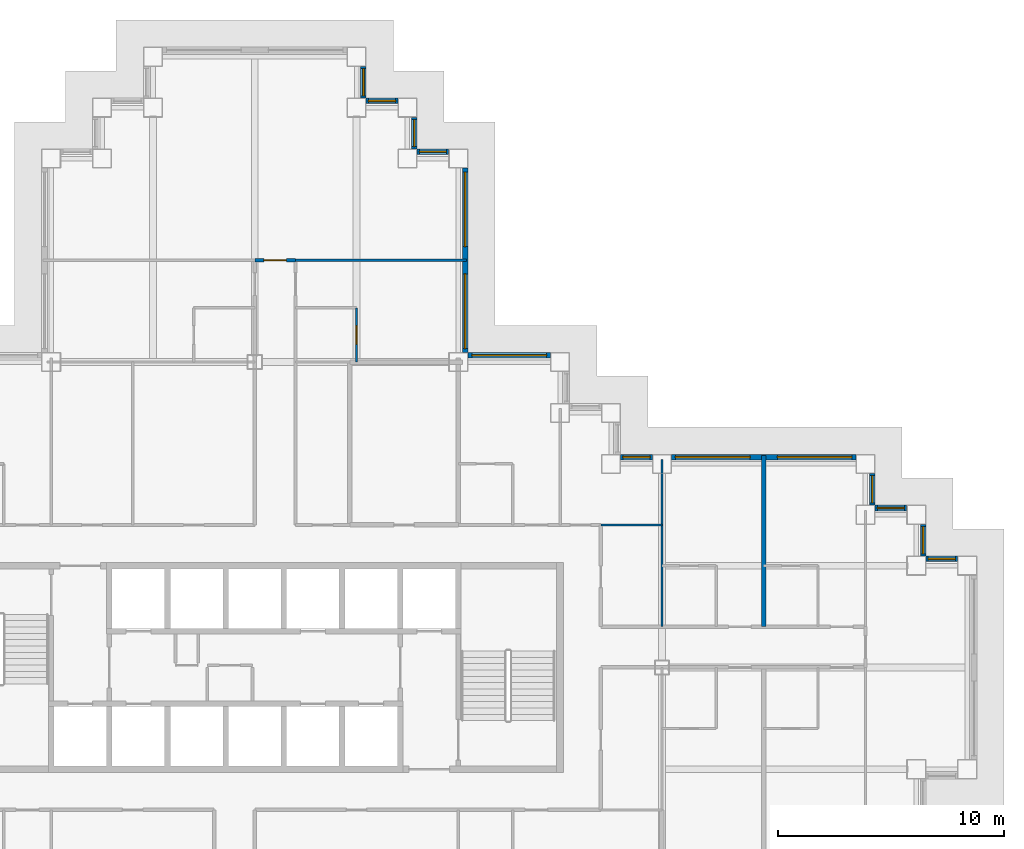
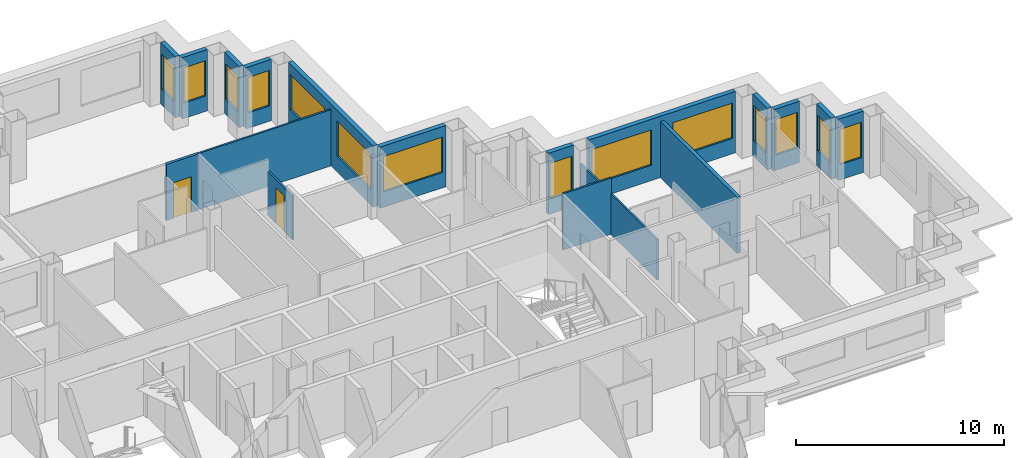
# One storey, part 10 of 15: 18 walls, 14 windows, 2 doors, 16 openings.
"""IFC4 building model written with IfcOpenShell, lengths in metres."""

from ifc_helpers import new_model, si_unit, direction, frame, frame_2d, origin, place, context, subcontext, project, spatial, rectangle, extrude, material, layer, layer_set, type_object, element, fill, save


model = new_model("IFC4")

# Units and contexts
model_context = context("Model", 3, precision=1e-05, world=origin(), true_north=direction((0.0, 1.0)))
body_context = subcontext(model_context, "Body", "Model", "MODEL_VIEW")
ifc_project = project(units=[si_unit("LENGTHUNIT", "METRE"), si_unit("AREAUNIT", "SQUARE_METRE"), si_unit("VOLUMEUNIT", "CUBIC_METRE"), si_unit("PLANEANGLEUNIT", "RADIAN"), si_unit("MASSUNIT", "GRAM", prefix="KILO")], contexts=[model_context])

# Site, building, storey
site_placement = place(None, origin())
site = spatial("IfcSite", under=ifc_project, at=site_placement, CompositionType="ELEMENT")
building_placement = place(site_placement, origin())
building = spatial("IfcBuilding", under=site, at=building_placement, Name="Caravel Reach Hotel and Residences", CompositionType="ELEMENT")
storey_placement = place(building_placement, frame((0.0, 0.0, 122.39990234375)))
storey = spatial("IfcBuildingStorey", under=building, at=storey_placement, Name="L30", CompositionType="ELEMENT", Elevation=122.39990234375)

# Wall, opening, door
ifc_material_1 = material(Name="Gypsum board on steel stud", Category="steel")
ifc_layer_1 = layer(ifc_material_1, 0.10009765625)
ifc_layer_set_1 = layer_set([ifc_layer_1], Name="Bathroom pod wall 100 mm")
wall_type_1 = type_object("IfcWallType", Name="Bathroom pod wall 100 mm", PredefinedType="PARTITIONING", material=ifc_layer_set_1)
wall_1_placement = place(storey_placement, frame((36.0, 40.5, 0.0), z_axis=(0.0, 0.0, 1.0), x_axis=(0.0, 1.0, 0.0)))
wall_1 = element("IfcWall", 1, at=wall_1_placement, inside=storey, type_object=wall_type_1, Name="L30 wall w089", PredefinedType="PARTITIONING", context=body_context, shape_type="SweptSolid", body=[
    extrude(rectangle(XDim=2.39990234375, YDim=0.10009765625, at=frame_2d((1.199951171875, 0.0))), origin(), (0.0, 0.0, 1.0), 2.580078125),
])
opening_1_placement = place(wall_1_placement, frame((0.800048828125, 0.0, 0.0)))
opening_1 = element("IfcOpeningElement", 2, at=opening_1_placement, cuts=wall_1, Name="Opening D30-031", PredefinedType="OPENING", context=body_context, shape_type="SweptSolid", body=[
    extrude(rectangle(XDim=0.800048828125, YDim=2.10009765625, at=frame_2d((0.39990234375, 1.050048828125))), frame((0.0, 0.06005859375, 0.0), z_axis=(0.0, -1.0, 0.0), x_axis=(1.0, 0.0, 0.0)), (0.0, 0.0, 1.0), 0.1201171875),
])
ifc_material_2 = material(Name="Timber and steel door leaf", Category="steel")
door_type_1 = type_object("IfcDoorType", Name="Bathroom door 800 x 2100", OperationType="SINGLE_SWING_LEFT", PredefinedType="DOOR", material=ifc_material_2)
door_1_placement = place(opening_1_placement, origin())
door_1 = element("IfcDoor", 3, at=door_1_placement, inside=storey, type_object=door_type_1, Name="door D30-031", OperationType="SINGLE_SWING_RIGHT", OverallHeight=2.10009765625, OverallWidth=0.800048828125, PredefinedType="DOOR", context=body_context, shape_type="SweptSolid", body=[
    extrude(rectangle(XDim=0.800048828125, YDim=2.10009765625, at=frame_2d((0.39990234375, 1.050048828125))), frame((0.0, 0.02490234375, 0.0), z_axis=(0.0, -1.0, 0.0), x_axis=(1.0, 0.0, 0.0)), (0.0, 0.0, 1.0), 0.050048828125),
])
fill(opening_1, door_1)

ifc_material_3 = material(Name="Gypsum board on steel stud, fire-rated", Category="steel")
ifc_layer_2 = layer(ifc_material_3, 0.14990234375)
ifc_layer_set_2 = layer_set([ifc_layer_2], Name="Corridor wall 150 mm EI 60")
wall_type_2 = type_object("IfcWallType", Name="Corridor wall 150 mm EI 60", PredefinedType="PARTITIONING", material=ifc_layer_set_2)
wall_2_placement = place(storey_placement, frame((31.5, 45.0, 0.0), z_axis=(0.0, 0.0, 1.0), x_axis=(1.0, 0.0, 0.0)))
wall_2 = element("IfcWall", 4, at=wall_2_placement, inside=storey, type_object=wall_type_2, Name="L30 wall w021", PredefinedType="PARTITIONING", context=body_context, shape_type="SweptSolid", body=[
    extrude(rectangle(XDim=1.800048828125, YDim=0.14990234375, at=frame_2d((0.89990234375, 0.0))), origin(), (0.0, 0.0, 1.0), 3.300048828125),
])
opening_2_placement = place(wall_2_placement, frame((0.39990234375, 0.0, 0.0)))
opening_2 = element("IfcOpeningElement", 5, at=opening_2_placement, cuts=wall_2, Name="Opening D30-038", PredefinedType="OPENING", context=body_context, shape_type="SweptSolid", body=[
    extrude(rectangle(XDim=1.0, YDim=2.10009765625, at=frame_2d((0.5, 1.050048828125))), frame((0.0, 0.0849609375, 0.0), z_axis=(0.0, -1.0, 0.0), x_axis=(1.0, 0.0, 0.0)), (0.0, 0.0, 1.0), 0.169921875),
])
ifc_material_4 = material(Name="Steel fire door leaf", Category="steel")
door_type_2 = type_object("IfcDoorType", Name="Guest room door 1000 x 2100 EI 30", OperationType="SINGLE_SWING_LEFT", PredefinedType="DOOR", material=ifc_material_4)
door_2_placement = place(opening_2_placement, origin())
door_2 = element("IfcDoor", 6, at=door_2_placement, inside=storey, type_object=door_type_2, Name="door D30-038", OperationType="SINGLE_SWING_LEFT", OverallHeight=2.10009765625, OverallWidth=1.0, PredefinedType="DOOR", context=body_context, shape_type="SweptSolid", body=[
    extrude(rectangle(XDim=1.0, YDim=2.10009765625, at=frame_2d((0.5, 1.050048828125))), frame((0.0, 0.02490234375, 0.0), z_axis=(0.0, -1.0, 0.0), x_axis=(1.0, 0.0, 0.0)), (0.0, 0.0, 1.0), 0.050048828125),
])
fill(opening_2, door_2)

# Wall, opening, window
ifc_material_5 = material(Name="Insulated rainscreen wall, aluminium cladding", Category="aluminium")
ifc_layer_3 = layer(ifc_material_5, 0.25)
ifc_layer_set_3 = layer_set([ifc_layer_3], Name="EW1 Tower rainscreen wall")
wall_type_3 = type_object("IfcWallType", Name="EW1 Tower rainscreen wall", PredefinedType="SOLIDWALL", material=ifc_layer_set_3)
wall_3_placement = place(storey_placement, frame((62.574951171875, 31.800048828125, 0.0), z_axis=(0.0, 0.0, 1.0), x_axis=(-1.0, 0.0, 0.0)))
wall_3 = element("IfcWall", 7, at=wall_3_placement, inside=storey, type_object=wall_type_3, Name="External wall L30 N21.1", PredefinedType="SOLIDWALL", context=body_context, shape_type="SweptSolid", body=[
    extrude(rectangle(XDim=1.39990234375, YDim=0.25, at=frame_2d((0.699951171875, 0.0))), origin(), (0.0, 0.0, 1.0), 3.60009765625),
])
opening_3_placement = place(wall_3_placement, frame((0.10009765625, 0.0, 0.89990234375)))
opening_3 = element("IfcOpeningElement", 8, at=opening_3_placement, cuts=wall_3, Name="Opening WN9", PredefinedType="OPENING", context=body_context, shape_type="SweptSolid", body=[
    extrude(rectangle(XDim=1.199951171875, YDim=2.080078125, at=frame_2d((0.60009765625, 1.0400390625))), frame((0.0, 0.135009765625, 0.0), z_axis=(0.0, -1.0, 0.0), x_axis=(1.0, 0.0, 0.0)), (0.0, 0.0, 1.0), 0.27001953125),
])
ifc_material_6 = material(Name="Dark low-e glazing in black aluminium frame", Category="aluminium")
window_type_1 = type_object("IfcWindowType", Name="Hotel suite corner window 1200 x 2080", PartitioningType="SINGLE_PANEL", PredefinedType="WINDOW", material=ifc_material_6)
window_1_placement = place(opening_3_placement, origin())
window_1 = element("IfcWindow", 9, at=window_1_placement, inside=storey, type_object=window_type_1, Name="Window L30 N21.1.1", OverallHeight=2.080078125, OverallWidth=1.199951171875, PartitioningType="SINGLE_PANEL", PredefinedType="WINDOW", context=body_context, shape_type="SweptSolid", body=[
    extrude(rectangle(XDim=1.199951171875, YDim=2.080078125, at=frame_2d((0.60009765625, 1.0400390625))), frame((0.0, 0.030029296875, 0.0), z_axis=(0.0, -1.0, 0.0), x_axis=(1.0, 0.0, 0.0)), (0.0, 0.0, 1.0), 0.06005859375),
])
fill(opening_3, window_1)

wall_4_placement = place(storey_placement, frame((61.050048828125, 31.925048828125, 0.0), z_axis=(0.0, 0.0, 1.0), x_axis=(0.0, 1.0, 0.0)))
wall_4 = element("IfcWall", 10, at=wall_4_placement, inside=storey, type_object=wall_type_3, Name="External wall L30 E22.1", PredefinedType="SOLIDWALL", context=body_context, shape_type="SweptSolid", body=[
    extrude(rectangle(XDim=1.39990234375, YDim=0.25, at=frame_2d((0.699951171875, 0.0))), origin(), (0.0, 0.0, 1.0), 3.60009765625),
])
opening_4_placement = place(wall_4_placement, frame((0.10009765625, 0.0, 0.89990234375)))
opening_4 = element("IfcOpeningElement", 11, at=opening_4_placement, cuts=wall_4, Name="Opening WN9", PredefinedType="OPENING", context=body_context, shape_type="SweptSolid", body=[
    extrude(rectangle(XDim=1.199951171875, YDim=2.080078125, at=frame_2d((0.60009765625, 1.0400390625))), frame((0.0, 0.135009765625, 0.0), z_axis=(0.0, -1.0, 0.0), x_axis=(1.0, 0.0, 0.0)), (0.0, 0.0, 1.0), 0.27001953125),
])
window_2_placement = place(opening_4_placement, origin())
window_2 = element("IfcWindow", 12, at=window_2_placement, inside=storey, type_object=window_type_1, Name="Window L30 E22.1.1", OverallHeight=2.080078125, OverallWidth=1.199951171875, PartitioningType="SINGLE_PANEL", PredefinedType="WINDOW", context=body_context, shape_type="SweptSolid", body=[
    extrude(rectangle(XDim=1.199951171875, YDim=2.080078125, at=frame_2d((0.60009765625, 1.0400390625))), frame((0.0, 0.030029296875, 0.0), z_axis=(0.0, -1.0, 0.0), x_axis=(1.0, 0.0, 0.0)), (0.0, 0.0, 1.0), 0.06005859375),
])
fill(opening_4, window_2)

wall_5_placement = place(storey_placement, frame((60.324951171875, 34.050048828125, 0.0), z_axis=(0.0, 0.0, 1.0), x_axis=(-1.0, 0.0, 0.0)))
wall_5 = element("IfcWall", 13, at=wall_5_placement, inside=storey, type_object=wall_type_3, Name="External wall L30 N23.1", PredefinedType="SOLIDWALL", context=body_context, shape_type="SweptSolid", body=[
    extrude(rectangle(XDim=1.39990234375, YDim=0.25, at=frame_2d((0.699951171875, 0.0))), origin(), (0.0, 0.0, 1.0), 3.60009765625),
])
opening_5_placement = place(wall_5_placement, frame((0.10009765625, 0.0, 0.89990234375)))
opening_5 = element("IfcOpeningElement", 14, at=opening_5_placement, cuts=wall_5, Name="Opening WN9", PredefinedType="OPENING", context=body_context, shape_type="SweptSolid", body=[
    extrude(rectangle(XDim=1.199951171875, YDim=2.080078125, at=frame_2d((0.60009765625, 1.0400390625))), frame((0.0, 0.135009765625, 0.0), z_axis=(0.0, -1.0, 0.0), x_axis=(1.0, 0.0, 0.0)), (0.0, 0.0, 1.0), 0.27001953125),
])
window_3_placement = place(opening_5_placement, origin())
window_3 = element("IfcWindow", 15, at=window_3_placement, inside=storey, type_object=window_type_1, Name="Window L30 N23.1.1", OverallHeight=2.080078125, OverallWidth=1.199951171875, PartitioningType="SINGLE_PANEL", PredefinedType="WINDOW", context=body_context, shape_type="SweptSolid", body=[
    extrude(rectangle(XDim=1.199951171875, YDim=2.080078125, at=frame_2d((0.60009765625, 1.0400390625))), frame((0.0, 0.030029296875, 0.0), z_axis=(0.0, -1.0, 0.0), x_axis=(1.0, 0.0, 0.0)), (0.0, 0.0, 1.0), 0.06005859375),
])
fill(opening_5, window_3)

wall_6_placement = place(storey_placement, frame((58.800048828125, 34.175048828125, 0.0), z_axis=(0.0, 0.0, 1.0), x_axis=(0.0, 1.0, 0.0)))
wall_6 = element("IfcWall", 16, at=wall_6_placement, inside=storey, type_object=wall_type_3, Name="External wall L30 E24.1", PredefinedType="SOLIDWALL", context=body_context, shape_type="SweptSolid", body=[
    extrude(rectangle(XDim=1.39990234375, YDim=0.25, at=frame_2d((0.699951171875, 0.0))), origin(), (0.0, 0.0, 1.0), 3.60009765625),
])
opening_6_placement = place(wall_6_placement, frame((0.10009765625, 0.0, 0.89990234375)))
opening_6 = element("IfcOpeningElement", 17, at=opening_6_placement, cuts=wall_6, Name="Opening WN9", PredefinedType="OPENING", context=body_context, shape_type="SweptSolid", body=[
    extrude(rectangle(XDim=1.199951171875, YDim=2.080078125, at=frame_2d((0.60009765625, 1.0400390625))), frame((0.0, 0.135009765625, 0.0), z_axis=(0.0, -1.0, 0.0), x_axis=(1.0, 0.0, 0.0)), (0.0, 0.0, 1.0), 0.27001953125),
])
window_4_placement = place(opening_6_placement, origin())
window_4 = element("IfcWindow", 18, at=window_4_placement, inside=storey, type_object=window_type_1, Name="Window L30 E24.1.1", OverallHeight=2.080078125, OverallWidth=1.199951171875, PartitioningType="SINGLE_PANEL", PredefinedType="WINDOW", context=body_context, shape_type="SweptSolid", body=[
    extrude(rectangle(XDim=1.199951171875, YDim=2.080078125, at=frame_2d((0.60009765625, 1.0400390625))), frame((0.0, 0.030029296875, 0.0), z_axis=(0.0, -1.0, 0.0), x_axis=(1.0, 0.0, 0.0)), (0.0, 0.0, 1.0), 0.06005859375),
])
fill(opening_6, window_4)

# Wall, openings, windows
wall_7_placement = place(storey_placement, frame((58.074951171875, 36.300048828125, 0.0), z_axis=(0.0, 0.0, 1.0), x_axis=(-1.0, 0.0, 0.0)))
wall_7 = element("IfcWall", 19, at=wall_7_placement, inside=storey, type_object=wall_type_3, Name="External wall L30 N25.1", PredefinedType="SOLIDWALL", context=body_context, shape_type="SweptSolid", body=[
    extrude(rectangle(XDim=8.14990234375, YDim=0.25, at=frame_2d((4.074951171875, 0.0))), origin(), (0.0, 0.0, 1.0), 3.60009765625),
])
opening_7_placement = place(wall_7_placement, frame((0.175048828125, 0.0, 0.89990234375)))
opening_7 = element("IfcOpeningElement", 20, at=opening_7_placement, cuts=wall_7, Name="Opening WN4", PredefinedType="OPENING", context=body_context, shape_type="SweptSolid", body=[
    extrude(rectangle(XDim=3.300048828125, YDim=2.080078125, at=frame_2d((1.64990234375, 1.0400390625))), frame((0.0, 0.135009765625, 0.0), z_axis=(0.0, -1.0, 0.0), x_axis=(1.0, 0.0, 0.0)), (0.0, 0.0, 1.0), 0.27001953125),
])
opening_8_placement = place(wall_7_placement, frame((4.675048828125, 0.0, 0.89990234375)))
opening_8 = element("IfcOpeningElement", 21, at=opening_8_placement, cuts=wall_7, Name="Opening WN4", PredefinedType="OPENING", context=body_context, shape_type="SweptSolid", body=[
    extrude(rectangle(XDim=3.300048828125, YDim=2.080078125, at=frame_2d((1.64990234375, 1.0400390625))), frame((0.0, 0.135009765625, 0.0), z_axis=(0.0, -1.0, 0.0), x_axis=(1.0, 0.0, 0.0)), (0.0, 0.0, 1.0), 0.27001953125),
])
ifc_material_7 = material(Name="Dark low-e glazing in black aluminium frame", Category="aluminium")
window_type_2 = type_object("IfcWindowType", Name="Hotel guest room window 3300 x 2080", PartitioningType="SINGLE_PANEL", PredefinedType="WINDOW", material=ifc_material_7)
window_5_placement = place(opening_7_placement, origin())
window_5 = element("IfcWindow", 22, at=window_5_placement, inside=storey, type_object=window_type_2, Name="Window L30 N25.1.1", OverallHeight=2.080078125, OverallWidth=3.300048828125, PartitioningType="SINGLE_PANEL", PredefinedType="WINDOW", context=body_context, shape_type="SweptSolid", body=[
    extrude(rectangle(XDim=3.300048828125, YDim=2.080078125, at=frame_2d((1.64990234375, 1.0400390625))), frame((0.0, 0.030029296875, 0.0), z_axis=(0.0, -1.0, 0.0), x_axis=(1.0, 0.0, 0.0)), (0.0, 0.0, 1.0), 0.06005859375),
])
fill(opening_7, window_5)
window_6_placement = place(opening_8_placement, origin())
window_6 = element("IfcWindow", 23, at=window_6_placement, inside=storey, type_object=window_type_2, Name="Window L30 N25.1.2", OverallHeight=2.080078125, OverallWidth=3.300048828125, PartitioningType="SINGLE_PANEL", PredefinedType="WINDOW", context=body_context, shape_type="SweptSolid", body=[
    extrude(rectangle(XDim=3.300048828125, YDim=2.080078125, at=frame_2d((1.64990234375, 1.0400390625))), frame((0.0, 0.030029296875, 0.0), z_axis=(0.0, -1.0, 0.0), x_axis=(1.0, 0.0, 0.0)), (0.0, 0.0, 1.0), 0.06005859375),
])
fill(opening_8, window_6)

# Wall, opening, window
wall_8_placement = place(storey_placement, frame((49.074951171875, 36.300048828125, 0.0), z_axis=(0.0, 0.0, 1.0), x_axis=(-1.0, 0.0, 0.0)))
wall_8 = element("IfcWall", 24, at=wall_8_placement, inside=storey, type_object=wall_type_3, Name="External wall L30 N25.2", PredefinedType="SOLIDWALL", context=body_context, shape_type="SweptSolid", body=[
    extrude(rectangle(XDim=1.39990234375, YDim=0.25, at=frame_2d((0.699951171875, 0.0))), origin(), (0.0, 0.0, 1.0), 3.60009765625),
])
opening_9_placement = place(wall_8_placement, frame((0.10009765625, 0.0, 0.89990234375)))
opening_9 = element("IfcOpeningElement", 25, at=opening_9_placement, cuts=wall_8, Name="Opening WN9", PredefinedType="OPENING", context=body_context, shape_type="SweptSolid", body=[
    extrude(rectangle(XDim=1.199951171875, YDim=2.080078125, at=frame_2d((0.60009765625, 1.0400390625))), frame((0.0, 0.135009765625, 0.0), z_axis=(0.0, -1.0, 0.0), x_axis=(1.0, 0.0, 0.0)), (0.0, 0.0, 1.0), 0.27001953125),
])
window_7_placement = place(opening_9_placement, origin())
window_7 = element("IfcWindow", 26, at=window_7_placement, inside=storey, type_object=window_type_1, Name="Window L30 N25.2.1", OverallHeight=2.080078125, OverallWidth=1.199951171875, PartitioningType="SINGLE_PANEL", PredefinedType="WINDOW", context=body_context, shape_type="SweptSolid", body=[
    extrude(rectangle(XDim=1.199951171875, YDim=2.080078125, at=frame_2d((0.60009765625, 1.0400390625))), frame((0.0, 0.030029296875, 0.0), z_axis=(0.0, -1.0, 0.0), x_axis=(1.0, 0.0, 0.0)), (0.0, 0.0, 1.0), 0.06005859375),
])
fill(opening_9, window_7)

wall_9_placement = place(storey_placement, frame((44.574951171875, 40.800048828125, 0.0), z_axis=(0.0, 0.0, 1.0), x_axis=(-1.0, 0.0, 0.0)))
wall_9 = element("IfcWall", 27, at=wall_9_placement, inside=storey, type_object=wall_type_3, Name="External wall L30 N29.1", PredefinedType="SOLIDWALL", context=body_context, shape_type="SweptSolid", body=[
    extrude(rectangle(XDim=3.64990234375, YDim=0.25, at=frame_2d((1.824951171875, 0.0))), origin(), (0.0, 0.0, 1.0), 3.60009765625),
])
opening_10_placement = place(wall_9_placement, frame((0.175048828125, 0.0, 0.89990234375)))
opening_10 = element("IfcOpeningElement", 28, at=opening_10_placement, cuts=wall_9, Name="Opening WN4", PredefinedType="OPENING", context=body_context, shape_type="SweptSolid", body=[
    extrude(rectangle(XDim=3.300048828125, YDim=2.080078125, at=frame_2d((1.64990234375, 1.0400390625))), frame((0.0, 0.135009765625, 0.0), z_axis=(0.0, -1.0, 0.0), x_axis=(1.0, 0.0, 0.0)), (0.0, 0.0, 1.0), 0.27001953125),
])
window_8_placement = place(opening_10_placement, origin())
window_8 = element("IfcWindow", 29, at=window_8_placement, inside=storey, type_object=window_type_2, Name="Window L30 N29.1.1", OverallHeight=2.080078125, OverallWidth=3.300048828125, PartitioningType="SINGLE_PANEL", PredefinedType="WINDOW", context=body_context, shape_type="SweptSolid", body=[
    extrude(rectangle(XDim=3.300048828125, YDim=2.080078125, at=frame_2d((1.64990234375, 1.0400390625))), frame((0.0, 0.030029296875, 0.0), z_axis=(0.0, -1.0, 0.0), x_axis=(1.0, 0.0, 0.0)), (0.0, 0.0, 1.0), 0.06005859375),
])
fill(opening_10, window_8)

# Wall, openings, windows
wall_10_placement = place(storey_placement, frame((40.800048828125, 40.925048828125, 0.0), z_axis=(0.0, 0.0, 1.0), x_axis=(0.0, 1.0, 0.0)))
wall_10 = element("IfcWall", 30, at=wall_10_placement, inside=storey, type_object=wall_type_3, Name="External wall L30 E30.1", PredefinedType="SOLIDWALL", context=body_context, shape_type="SweptSolid", body=[
    extrude(rectangle(XDim=8.14990234375, YDim=0.25, at=frame_2d((4.074951171875, 0.0))), origin(), (0.0, 0.0, 1.0), 3.60009765625),
])
opening_11_placement = place(wall_10_placement, frame((0.175048828125, 0.0, 0.89990234375)))
opening_11 = element("IfcOpeningElement", 31, at=opening_11_placement, cuts=wall_10, Name="Opening WN4", PredefinedType="OPENING", context=body_context, shape_type="SweptSolid", body=[
    extrude(rectangle(XDim=3.300048828125, YDim=2.080078125, at=frame_2d((1.64990234375, 1.0400390625))), frame((0.0, 0.135009765625, 0.0), z_axis=(0.0, -1.0, 0.0), x_axis=(1.0, 0.0, 0.0)), (0.0, 0.0, 1.0), 0.27001953125),
])
opening_12_placement = place(wall_10_placement, frame((4.675048828125, 0.0, 0.89990234375)))
opening_12 = element("IfcOpeningElement", 32, at=opening_12_placement, cuts=wall_10, Name="Opening WN4", PredefinedType="OPENING", context=body_context, shape_type="SweptSolid", body=[
    extrude(rectangle(XDim=3.300048828125, YDim=2.080078125, at=frame_2d((1.64990234375, 1.0400390625))), frame((0.0, 0.135009765625, 0.0), z_axis=(0.0, -1.0, 0.0), x_axis=(1.0, 0.0, 0.0)), (0.0, 0.0, 1.0), 0.27001953125),
])
window_9_placement = place(opening_11_placement, origin())
window_9 = element("IfcWindow", 33, at=window_9_placement, inside=storey, type_object=window_type_2, Name="Window L30 E30.1.1", OverallHeight=2.080078125, OverallWidth=3.300048828125, PartitioningType="SINGLE_PANEL", PredefinedType="WINDOW", context=body_context, shape_type="SweptSolid", body=[
    extrude(rectangle(XDim=3.300048828125, YDim=2.080078125, at=frame_2d((1.64990234375, 1.0400390625))), frame((0.0, 0.030029296875, 0.0), z_axis=(0.0, -1.0, 0.0), x_axis=(1.0, 0.0, 0.0)), (0.0, 0.0, 1.0), 0.06005859375),
])
fill(opening_11, window_9)
window_10_placement = place(opening_12_placement, origin())
window_10 = element("IfcWindow", 34, at=window_10_placement, inside=storey, type_object=window_type_2, Name="Window L30 E30.1.2", OverallHeight=2.080078125, OverallWidth=3.300048828125, PartitioningType="SINGLE_PANEL", PredefinedType="WINDOW", context=body_context, shape_type="SweptSolid", body=[
    extrude(rectangle(XDim=3.300048828125, YDim=2.080078125, at=frame_2d((1.64990234375, 1.0400390625))), frame((0.0, 0.030029296875, 0.0), z_axis=(0.0, -1.0, 0.0), x_axis=(1.0, 0.0, 0.0)), (0.0, 0.0, 1.0), 0.06005859375),
])
fill(opening_12, window_10)

# Wall, opening, window
wall_11_placement = place(storey_placement, frame((40.074951171875, 49.800048828125, 0.0), z_axis=(0.0, 0.0, 1.0), x_axis=(-1.0, 0.0, 0.0)))
wall_11 = element("IfcWall", 35, at=wall_11_placement, inside=storey, type_object=wall_type_3, Name="External wall L30 N31.1", PredefinedType="SOLIDWALL", context=body_context, shape_type="SweptSolid", body=[
    extrude(rectangle(XDim=1.39990234375, YDim=0.25, at=frame_2d((0.699951171875, 0.0))), origin(), (0.0, 0.0, 1.0), 3.60009765625),
])
opening_13_placement = place(wall_11_placement, frame((0.10009765625, 0.0, 0.89990234375)))
opening_13 = element("IfcOpeningElement", 36, at=opening_13_placement, cuts=wall_11, Name="Opening WN9", PredefinedType="OPENING", context=body_context, shape_type="SweptSolid", body=[
    extrude(rectangle(XDim=1.199951171875, YDim=2.080078125, at=frame_2d((0.60009765625, 1.0400390625))), frame((0.0, 0.135009765625, 0.0), z_axis=(0.0, -1.0, 0.0), x_axis=(1.0, 0.0, 0.0)), (0.0, 0.0, 1.0), 0.27001953125),
])
window_11_placement = place(opening_13_placement, origin())
window_11 = element("IfcWindow", 37, at=window_11_placement, inside=storey, type_object=window_type_1, Name="Window L30 N31.1.1", OverallHeight=2.080078125, OverallWidth=1.199951171875, PartitioningType="SINGLE_PANEL", PredefinedType="WINDOW", context=body_context, shape_type="SweptSolid", body=[
    extrude(rectangle(XDim=1.199951171875, YDim=2.080078125, at=frame_2d((0.60009765625, 1.0400390625))), frame((0.0, 0.030029296875, 0.0), z_axis=(0.0, -1.0, 0.0), x_axis=(1.0, 0.0, 0.0)), (0.0, 0.0, 1.0), 0.06005859375),
])
fill(opening_13, window_11)

wall_12_placement = place(storey_placement, frame((38.550048828125, 49.925048828125, 0.0), z_axis=(0.0, 0.0, 1.0), x_axis=(0.0, 1.0, 0.0)))
wall_12 = element("IfcWall", 38, at=wall_12_placement, inside=storey, type_object=wall_type_3, Name="External wall L30 E32.1", PredefinedType="SOLIDWALL", context=body_context, shape_type="SweptSolid", body=[
    extrude(rectangle(XDim=1.39990234375, YDim=0.25, at=frame_2d((0.699951171875, 0.0))), origin(), (0.0, 0.0, 1.0), 3.60009765625),
])
opening_14_placement = place(wall_12_placement, frame((0.10009765625, 0.0, 0.89990234375)))
opening_14 = element("IfcOpeningElement", 39, at=opening_14_placement, cuts=wall_12, Name="Opening WN9", PredefinedType="OPENING", context=body_context, shape_type="SweptSolid", body=[
    extrude(rectangle(XDim=1.199951171875, YDim=2.080078125, at=frame_2d((0.60009765625, 1.0400390625))), frame((0.0, 0.135009765625, 0.0), z_axis=(0.0, -1.0, 0.0), x_axis=(1.0, 0.0, 0.0)), (0.0, 0.0, 1.0), 0.27001953125),
])
window_12_placement = place(opening_14_placement, origin())
window_12 = element("IfcWindow", 40, at=window_12_placement, inside=storey, type_object=window_type_1, Name="Window L30 E32.1.1", OverallHeight=2.080078125, OverallWidth=1.199951171875, PartitioningType="SINGLE_PANEL", PredefinedType="WINDOW", context=body_context, shape_type="SweptSolid", body=[
    extrude(rectangle(XDim=1.199951171875, YDim=2.080078125, at=frame_2d((0.60009765625, 1.0400390625))), frame((0.0, 0.030029296875, 0.0), z_axis=(0.0, -1.0, 0.0), x_axis=(1.0, 0.0, 0.0)), (0.0, 0.0, 1.0), 0.06005859375),
])
fill(opening_14, window_12)

wall_13_placement = place(storey_placement, frame((37.824951171875, 52.050048828125, 0.0), z_axis=(0.0, 0.0, 1.0), x_axis=(-1.0, 0.0, 0.0)))
wall_13 = element("IfcWall", 41, at=wall_13_placement, inside=storey, type_object=wall_type_3, Name="External wall L30 N33.1", PredefinedType="SOLIDWALL", context=body_context, shape_type="SweptSolid", body=[
    extrude(rectangle(XDim=1.39990234375, YDim=0.25, at=frame_2d((0.699951171875, 0.0))), origin(), (0.0, 0.0, 1.0), 3.60009765625),
])
opening_15_placement = place(wall_13_placement, frame((0.10009765625, 0.0, 0.89990234375)))
opening_15 = element("IfcOpeningElement", 42, at=opening_15_placement, cuts=wall_13, Name="Opening WN9", PredefinedType="OPENING", context=body_context, shape_type="SweptSolid", body=[
    extrude(rectangle(XDim=1.199951171875, YDim=2.080078125, at=frame_2d((0.60009765625, 1.0400390625))), frame((0.0, 0.135009765625, 0.0), z_axis=(0.0, -1.0, 0.0), x_axis=(1.0, 0.0, 0.0)), (0.0, 0.0, 1.0), 0.27001953125),
])
window_13_placement = place(opening_15_placement, origin())
window_13 = element("IfcWindow", 43, at=window_13_placement, inside=storey, type_object=window_type_1, Name="Window L30 N33.1.1", OverallHeight=2.080078125, OverallWidth=1.199951171875, PartitioningType="SINGLE_PANEL", PredefinedType="WINDOW", context=body_context, shape_type="SweptSolid", body=[
    extrude(rectangle(XDim=1.199951171875, YDim=2.080078125, at=frame_2d((0.60009765625, 1.0400390625))), frame((0.0, 0.030029296875, 0.0), z_axis=(0.0, -1.0, 0.0), x_axis=(1.0, 0.0, 0.0)), (0.0, 0.0, 1.0), 0.06005859375),
])
fill(opening_15, window_13)

wall_14_placement = place(storey_placement, frame((36.300048828125, 52.175048828125, 0.0), z_axis=(0.0, 0.0, 1.0), x_axis=(0.0, 1.0, 0.0)))
wall_14 = element("IfcWall", 44, at=wall_14_placement, inside=storey, type_object=wall_type_3, Name="External wall L30 E34.1", PredefinedType="SOLIDWALL", context=body_context, shape_type="SweptSolid", body=[
    extrude(rectangle(XDim=1.39990234375, YDim=0.25, at=frame_2d((0.699951171875, 0.0))), origin(), (0.0, 0.0, 1.0), 3.60009765625),
])
opening_16_placement = place(wall_14_placement, frame((0.10009765625, 0.0, 0.89990234375)))
opening_16 = element("IfcOpeningElement", 45, at=opening_16_placement, cuts=wall_14, Name="Opening WN9", PredefinedType="OPENING", context=body_context, shape_type="SweptSolid", body=[
    extrude(rectangle(XDim=1.199951171875, YDim=2.080078125, at=frame_2d((0.60009765625, 1.0400390625))), frame((0.0, 0.135009765625, 0.0), z_axis=(0.0, -1.0, 0.0), x_axis=(1.0, 0.0, 0.0)), (0.0, 0.0, 1.0), 0.27001953125),
])
window_14_placement = place(opening_16_placement, origin())
window_14 = element("IfcWindow", 46, at=window_14_placement, inside=storey, type_object=window_type_1, Name="Window L30 E34.1.1", OverallHeight=2.080078125, OverallWidth=1.199951171875, PartitioningType="SINGLE_PANEL", PredefinedType="WINDOW", context=body_context, shape_type="SweptSolid", body=[
    extrude(rectangle(XDim=1.199951171875, YDim=2.080078125, at=frame_2d((0.60009765625, 1.0400390625))), frame((0.0, 0.030029296875, 0.0), z_axis=(0.0, -1.0, 0.0), x_axis=(1.0, 0.0, 0.0)), (0.0, 0.0, 1.0), 0.06005859375),
])
fill(opening_16, window_14)

# Walls
ifc_material_8 = material(Name="Gypsum board on steel stud", Category="steel")
ifc_layer_4 = layer(ifc_material_8, 0.10009765625)
ifc_layer_set_4 = layer_set([ifc_layer_4], Name="Partition 100 mm")
wall_type_4 = type_object("IfcWallType", Name="Partition 100 mm", PredefinedType="PARTITIONING", material=ifc_layer_set_4)
wall_15_placement = place(storey_placement, frame((46.800048828125, 33.300048828125, 0.0), z_axis=(0.0, 0.0, 1.0), x_axis=(1.0, 0.0, 0.0)))
element("IfcWall", 47, at=wall_15_placement, inside=storey, type_object=wall_type_4, Name="L30 wall w041", PredefinedType="PARTITIONING", context=body_context, shape_type="SweptSolid", body=[
    extrude(rectangle(XDim=2.699951171875, YDim=0.10009765625, at=frame_2d((1.35009765625, 0.0))), origin(), (0.0, 0.0, 1.0), 3.300048828125),
])
wall_16_placement = place(storey_placement, frame((33.300048828125, 45.0, 0.0), z_axis=(0.0, 0.0, 1.0), x_axis=(1.0, 0.0, 0.0)))
element("IfcWall", 48, at=wall_16_placement, inside=storey, type_object=wall_type_4, Name="L30 wall w045", PredefinedType="PARTITIONING", context=body_context, shape_type="SweptSolid", body=[
    extrude(rectangle(XDim=7.56494140625, YDim=0.10009765625, at=frame_2d((3.782470703125, 0.0))), origin(), (0.0, 0.0, 1.0), 3.300048828125),
])
wall_17_placement = place(storey_placement, frame((49.5, 28.800048828125, 0.0), z_axis=(0.0, 0.0, 1.0), x_axis=(0.0, 1.0, 0.0)))
element("IfcWall", 49, at=wall_17_placement, inside=storey, type_object=wall_type_4, Name="L30 wall w056", PredefinedType="PARTITIONING", context=body_context, shape_type="SweptSolid", body=[
    extrude(rectangle(XDim=7.389892578125, YDim=0.10009765625, at=frame_2d((3.69482421875, 0.0))), origin(), (0.0, 0.0, 1.0), 2.380126953125),
])
ifc_material_9 = material(Name="Autoclaved aerated block wall")
ifc_layer_5 = layer(ifc_material_9, 0.199951171875)
ifc_layer_set_5 = layer_set([ifc_layer_5], Name="Party wall 200 mm EI 60")
wall_type_5 = type_object("IfcWallType", Name="Party wall 200 mm EI 60", PredefinedType="PARTITIONING", material=ifc_layer_set_5)
wall_18_placement = place(storey_placement, frame((54.0, 28.800048828125, 0.0), z_axis=(0.0, 0.0, 1.0), x_axis=(0.0, 1.0, 0.0)))
element("IfcWall", 50, at=wall_18_placement, inside=storey, type_object=wall_type_5, Name="L30 wall w065", PredefinedType="PARTITIONING", context=body_context, shape_type="SweptSolid", body=[
    extrude(rectangle(XDim=7.56494140625, YDim=0.199951171875, at=frame_2d((3.782470703125, 0.0))), origin(), (0.0, 0.0, 1.0), 3.300048828125),
])

save(model, "model.ifc")
